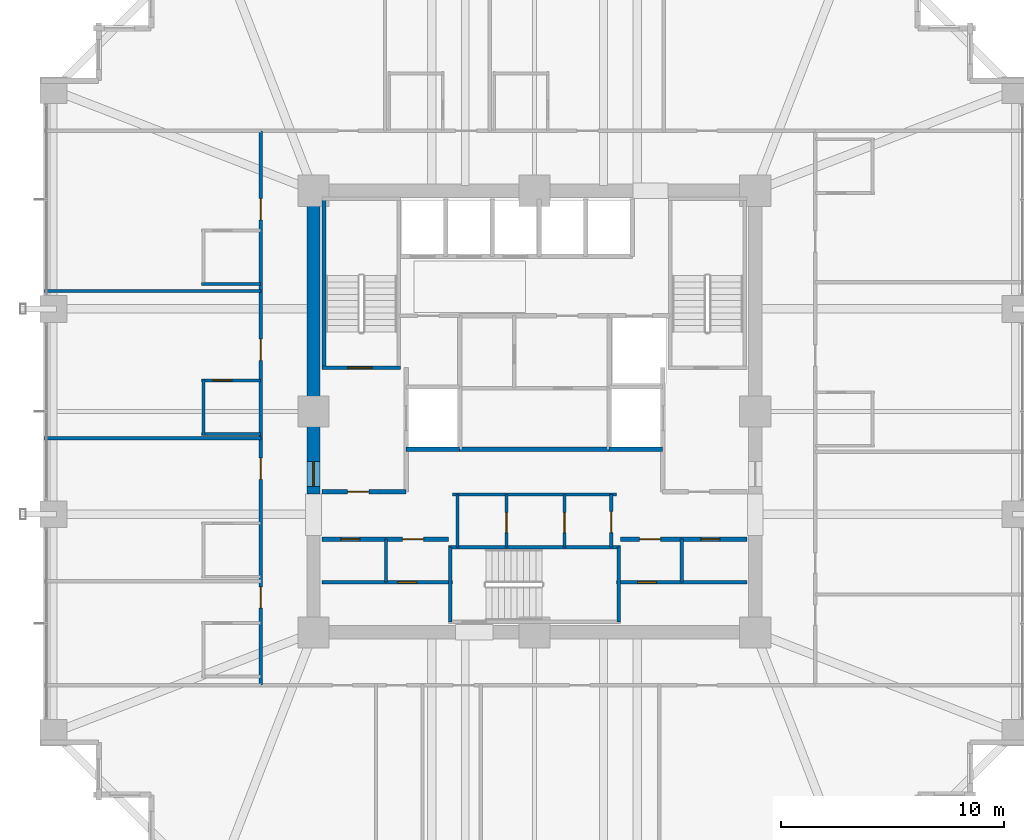
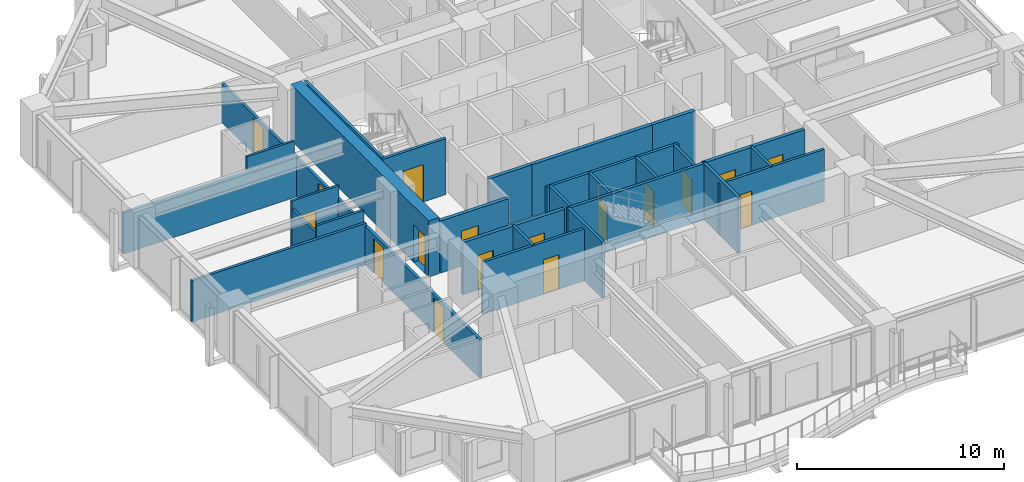
# One storey, part 32 of 38: 28 walls, 17 doors, 17 openings.
"""IFC4 building model written with IfcOpenShell, lengths in metres."""

from ifc_helpers import new_model, si_unit, direction, frame, frame_2d, origin, place, context, subcontext, project, spatial, rectangle, extrude, material, layer, layer_set, type_object, element, fill, save


model = new_model("IFC4")

# Units and contexts
model_context = context("Model", 3, precision=1e-05, world=origin(), true_north=direction((0.0, 1.0)))
body_context = subcontext(model_context, "Body", "Model", "MODEL_VIEW")
ifc_project = project(units=[si_unit("LENGTHUNIT", "METRE"), si_unit("AREAUNIT", "SQUARE_METRE"), si_unit("VOLUMEUNIT", "CUBIC_METRE"), si_unit("PLANEANGLEUNIT", "RADIAN"), si_unit("MASSUNIT", "GRAM", prefix="KILO")], contexts=[model_context])

# Site, building, storey
site_placement = place(None, origin())
site = spatial("IfcSite", under=ifc_project, at=site_placement, CompositionType="ELEMENT")
building_placement = place(site_placement, origin())
building = spatial("IfcBuilding", under=site, at=building_placement, Name="Kolvaren Belvedere", CompositionType="ELEMENT")
storey_placement = place(building_placement, frame((0.0, 0.0, 50.199951171875)))
storey = spatial("IfcBuildingStorey", under=building, at=storey_placement, Name="L14", CompositionType="ELEMENT", Elevation=50.199951171875)

# Wall, opening, door
ifc_material_1 = material(Name="Concrete C60/75", Category="concrete")
ifc_layer_1 = layer(ifc_material_1, 0.60009765625)
ifc_layer_set_1 = layer_set([ifc_layer_1], Name="Concrete C60/75")
wall_type_1 = type_object("IfcWallType", Name="CW-CORE-600", PredefinedType="SHEAR", material=ifc_layer_set_1)
wall_1_placement = place(storey_placement, frame((-9.89990234375, -3.699951171875, 0.0), z_axis=(0.0, 0.0, 1.0), x_axis=(0.0, 1.0, 0.0)))
wall_1 = element("IfcWall", 1, at=wall_1_placement, inside=storey, type_object=wall_type_1, Name="L14 West Core Shear Wall 2", PredefinedType="SHEAR", context=body_context, shape_type="SweptSolid", body=[
    extrude(rectangle(XDim=13.300048828125, YDim=0.60009765625, at=frame_2d((6.64990234375, 0.0))), origin(), (0.0, 0.0, 1.0), 3.300048828125),
])
opening_1_placement = place(wall_1_placement, frame((0.35009765625, 0.0, 0.0)))
opening_1 = element("IfcOpeningElement", 2, at=opening_1_placement, cuts=wall_1, Name="Opening D-FD90", PredefinedType="OPENING", context=body_context, shape_type="SweptSolid", body=[
    extrude(rectangle(XDim=1.10009765625, YDim=2.199951171875, at=frame_2d((0.550048828125, 1.10009765625))), frame((0.0, 0.31005859375, 0.0), z_axis=(0.0, -1.0, 0.0), x_axis=(1.0, 0.0, 0.0)), (0.0, 0.0, 1.0), 0.6201171875),
])
ifc_material_2 = material(Name="Painted hollow stainless steel", Category="steel")
door_type_1 = type_object("IfcDoorType", Name="DR-FD90-1100", OperationType="NOTDEFINED", PredefinedType="DOOR", material=ifc_material_2)
door_1_placement = place(opening_1_placement, origin())
door_1 = element("IfcDoor", 3, at=door_1_placement, inside=storey, type_object=door_type_1, Name="L14 West Firefighting Lobby Fire Door", OperationType="SINGLE_SWING_LEFT", OverallHeight=2.199951171875, OverallWidth=1.10009765625, PredefinedType="DOOR", context=body_context, shape_type="SweptSolid", body=[
    extrude(rectangle(XDim=1.10009765625, YDim=2.199951171875, at=frame_2d((0.550048828125, 1.10009765625))), frame((0.0, 0.02490234375, 0.0), z_axis=(0.0, -1.0, 0.0), x_axis=(1.0, 0.0, 0.0)), (0.0, 0.0, 1.0), 0.050048828125),
])
fill(opening_1, door_1)

ifc_material_3 = material(Name="Concrete C50/60", Category="concrete")
ifc_layer_2 = layer(ifc_material_3, 0.159912109375)
ifc_layer_set_2 = layer_set([ifc_layer_2], Name="Concrete C50/60")
wall_type_2 = type_object("IfcWallType", Name="CW-STAIR-160", PredefinedType="SHEAR", material=ifc_layer_set_2)
wall_2_placement = place(storey_placement, frame((-9.52001953125, 1.969970703125, 0.0), z_axis=(0.0, 0.0, 1.0), x_axis=(1.0, 0.0, 0.0)))
wall_2 = element("IfcWall", 4, at=wall_2_placement, inside=storey, type_object=wall_type_2, Name="L14 Stair ST-1 South Shear Wall", PredefinedType="SHEAR", context=body_context, shape_type="SweptSolid", body=[
    extrude(rectangle(XDim=3.52001953125, YDim=0.159912109375, at=frame_2d((1.760009765625, 0.0))), origin(), (0.0, 0.0, 1.0), 3.300048828125),
])
opening_2_placement = place(wall_2_placement, frame((1.14990234375, 0.0, 0.0)))
opening_2 = element("IfcOpeningElement", 5, at=opening_2_placement, cuts=wall_2, Name="Opening D-FD90", PredefinedType="OPENING", context=body_context, shape_type="SweptSolid", body=[
    extrude(rectangle(XDim=1.10009765625, YDim=2.199951171875, at=frame_2d((0.550048828125, 1.10009765625))), frame((0.0, 0.08984375, 0.0), z_axis=(0.0, -1.0, 0.0), x_axis=(1.0, 0.0, 0.0)), (0.0, 0.0, 1.0), 0.179931640625),
])
door_2_placement = place(opening_2_placement, origin())
door_2 = element("IfcDoor", 6, at=door_2_placement, inside=storey, type_object=door_type_1, Name="L14 Stair ST-1 Fire Door", OperationType="SINGLE_SWING_LEFT", OverallHeight=2.199951171875, OverallWidth=1.10009765625, PredefinedType="DOOR", context=body_context, shape_type="SweptSolid", body=[
    extrude(rectangle(XDim=1.10009765625, YDim=2.199951171875, at=frame_2d((0.550048828125, 1.10009765625))), frame((0.0, 0.02490234375, 0.0), z_axis=(0.0, -1.0, 0.0), x_axis=(1.0, 0.0, 0.0)), (0.0, 0.0, 1.0), 0.050048828125),
])
fill(opening_2, door_2)

# Walls
wall_3_placement = place(storey_placement, frame((-9.429931640625, 1.969970703125, 0.0), z_axis=(0.0, 0.0, 1.0), x_axis=(0.0, 1.0, 0.0)))
element("IfcWall", 7, at=wall_3_placement, inside=storey, type_object=wall_type_2, Name="L14 Stair ST-1 West Shear Wall", PredefinedType="SHEAR", context=body_context, shape_type="SweptSolid", body=[
    extrude(rectangle(XDim=7.56005859375, YDim=0.159912109375, at=frame_2d((3.780029296875, 0.0))), origin(), (0.0, 0.0, 1.0), 3.300048828125),
])
wall_4_placement = place(storey_placement, frame((-3.860107421875, -6.080078125, 0.0), z_axis=(0.0, 0.0, 1.0), x_axis=(1.0, 0.0, 0.0)))
element("IfcWall", 8, at=wall_4_placement, inside=storey, type_object=wall_type_2, Name="L14 Stair ST-3 North Shear Wall", PredefinedType="SHEAR", context=body_context, shape_type="SweptSolid", body=[
    extrude(rectangle(XDim=7.72021484375, YDim=0.159912109375, at=frame_2d((3.860107421875, 0.0))), origin(), (0.0, 0.0, 1.0), 3.300048828125),
])
for number, where, z_axis, x_axis, name in (
    (9, (-3.780029296875, -9.429931640625, 0.0), (0.0, 0.0, 1.0), (0.0, 1.0, 0.0), "L14 Stair ST-3 West Shear Wall"),
    (10, (3.780029296875, -9.429931640625, 0.0), (0.0, 0.0, 1.0), (0.0, 1.0, 0.0), "L14 Stair ST-3 East Shear Wall"),
):
    element("IfcWall", number, at=place(storey_placement, frame(where, z_axis=z_axis, x_axis=x_axis)), inside=storey, type_object=wall_type_2, Name=name, PredefinedType="SHEAR", context=body_context, shape_type="SweptSolid", body=[
        extrude(rectangle(XDim=3.349853515625, YDim=0.159912109375, at=frame_2d((1.6748046875, 0.0))), origin(), (0.0, 0.0, 1.0), 3.300048828125),
    ])

# Wall, openings, doors
ifc_material_4 = material(Name="Gypsum fire-rated partition assembly", Category="gypsum")
ifc_layer_3 = layer(ifc_material_4, 0.14990234375)
ifc_layer_set_3 = layer_set([ifc_layer_3], Name="Gypsum fire-rated partition assembly")
wall_type_3 = type_object("IfcWallType", Name="WL-CORR-150", PredefinedType="PARTITIONING", material=ifc_layer_set_3)
wall_5_placement = place(storey_placement, frame((-12.260009765625, -12.260009765625, 0.0), z_axis=(0.0, 0.0, 1.0), x_axis=(0.0, 1.0, 0.0)))
wall_5 = element("IfcWall", 11, at=wall_5_placement, inside=storey, type_object=wall_type_3, Name="L14 West Corridor Wall", PredefinedType="PARTITIONING", context=body_context, shape_type="SweptSolid", body=[
    extrude(rectangle(XDim=24.840087890625, YDim=0.14990234375, at=frame_2d((12.419921875, 0.0))), origin(), (0.0, 0.0, 1.0), 2.27197265625),
])
opening_3_placement = place(wall_5_placement, frame((3.447509765625, 0.0, 0.0)))
opening_3 = element("IfcOpeningElement", 12, at=opening_3_placement, cuts=wall_5, Name="Opening D-FD60", PredefinedType="OPENING", context=body_context, shape_type="SweptSolid", body=[
    extrude(rectangle(XDim=0.949951171875, YDim=2.06005859375, at=frame_2d((0.47509765625, 1.030029296875))), frame((0.0, 0.0849609375, 0.0), z_axis=(0.0, -1.0, 0.0), x_axis=(1.0, 0.0, 0.0)), (0.0, 0.0, 1.0), 0.169921875),
])
opening_4_placement = place(wall_5_placement, frame((9.218017578125, 0.0, 0.0)))
opening_4 = element("IfcOpeningElement", 13, at=opening_4_placement, cuts=wall_5, Name="Opening D-FD60", PredefinedType="OPENING", context=body_context, shape_type="SweptSolid", body=[
    extrude(rectangle(XDim=0.949951171875, YDim=2.06005859375, at=frame_2d((0.47509765625, 1.030029296875))), frame((0.0, 0.0849609375, 0.0), z_axis=(0.0, -1.0, 0.0), x_axis=(1.0, 0.0, 0.0)), (0.0, 0.0, 1.0), 0.169921875),
])
opening_5_placement = place(wall_5_placement, frame((14.5576171875, 0.0, 0.0)))
opening_5 = element("IfcOpeningElement", 14, at=opening_5_placement, cuts=wall_5, Name="Opening D-FD60", PredefinedType="OPENING", context=body_context, shape_type="SweptSolid", body=[
    extrude(rectangle(XDim=0.949951171875, YDim=2.06005859375, at=frame_2d((0.47509765625, 1.030029296875))), frame((0.0, 0.0849609375, 0.0), z_axis=(0.0, -1.0, 0.0), x_axis=(1.0, 0.0, 0.0)), (0.0, 0.0, 1.0), 0.169921875),
])
opening_6_placement = place(wall_5_placement, frame((20.85205078125, 0.0, 0.0)))
opening_6 = element("IfcOpeningElement", 15, at=opening_6_placement, cuts=wall_5, Name="Opening D-FD60", PredefinedType="OPENING", context=body_context, shape_type="SweptSolid", body=[
    extrude(rectangle(XDim=0.949951171875, YDim=2.06005859375, at=frame_2d((0.47509765625, 1.030029296875))), frame((0.0, 0.0849609375, 0.0), z_axis=(0.0, -1.0, 0.0), x_axis=(1.0, 0.0, 0.0)), (0.0, 0.0, 1.0), 0.169921875),
])
ifc_material_5 = material(Name="Acoustic white-oak fire door leaf", Category="timber")
door_type_2 = type_object("IfcDoorType", Name="DR-FD60-950", OperationType="NOTDEFINED", PredefinedType="DOOR", material=ifc_material_5)
door_3_placement = place(opening_3_placement, origin())
door_3 = element("IfcDoor", 16, at=door_3_placement, inside=storey, type_object=door_type_2, Name="L14 Botanical Hospitality Suite 1408 Entry Door", OperationType="SINGLE_SWING_RIGHT", OverallHeight=2.06005859375, OverallWidth=0.949951171875, PredefinedType="DOOR", context=body_context, shape_type="SweptSolid", body=[
    extrude(rectangle(XDim=0.949951171875, YDim=2.06005859375, at=frame_2d((0.47509765625, 1.030029296875))), frame((0.0, 0.02490234375, 0.0), z_axis=(0.0, -1.0, 0.0), x_axis=(1.0, 0.0, 0.0)), (0.0, 0.0, 1.0), 0.050048828125),
])
fill(opening_3, door_3)
door_4_placement = place(opening_4_placement, origin())
door_4 = element("IfcDoor", 17, at=door_4_placement, inside=storey, type_object=door_type_2, Name="L14 King Guest Room 1409 Entry Door", OperationType="SINGLE_SWING_RIGHT", OverallHeight=2.06005859375, OverallWidth=0.949951171875, PredefinedType="DOOR", context=body_context, shape_type="SweptSolid", body=[
    extrude(rectangle(XDim=0.949951171875, YDim=2.06005859375, at=frame_2d((0.47509765625, 1.030029296875))), frame((0.0, 0.02490234375, 0.0), z_axis=(0.0, -1.0, 0.0), x_axis=(1.0, 0.0, 0.0)), (0.0, 0.0, 1.0), 0.050048828125),
])
fill(opening_4, door_4)
door_5_placement = place(opening_5_placement, origin())
door_5 = element("IfcDoor", 18, at=door_5_placement, inside=storey, type_object=door_type_2, Name="L14 Botanical Hospitality Suite 1410 Entry Door", OperationType="SINGLE_SWING_RIGHT", OverallHeight=2.06005859375, OverallWidth=0.949951171875, PredefinedType="DOOR", context=body_context, shape_type="SweptSolid", body=[
    extrude(rectangle(XDim=0.949951171875, YDim=2.06005859375, at=frame_2d((0.47509765625, 1.030029296875))), frame((0.0, 0.02490234375, 0.0), z_axis=(0.0, -1.0, 0.0), x_axis=(1.0, 0.0, 0.0)), (0.0, 0.0, 1.0), 0.050048828125),
])
fill(opening_5, door_5)
door_6_placement = place(opening_6_placement, origin())
door_6 = element("IfcDoor", 19, at=door_6_placement, inside=storey, type_object=door_type_2, Name="L14 Botanical Hospitality Suite 1411 Entry Door", OperationType="SINGLE_SWING_RIGHT", OverallHeight=2.06005859375, OverallWidth=0.949951171875, PredefinedType="DOOR", context=body_context, shape_type="SweptSolid", body=[
    extrude(rectangle(XDim=0.949951171875, YDim=2.06005859375, at=frame_2d((0.47509765625, 1.030029296875))), frame((0.0, 0.02490234375, 0.0), z_axis=(0.0, -1.0, 0.0), x_axis=(1.0, 0.0, 0.0)), (0.0, 0.0, 1.0), 0.050048828125),
])
fill(opening_6, door_6)

# Wall, opening, door
ifc_material_6 = material(Name="Gypsum acoustic partition assembly", Category="gypsum")
ifc_layer_4 = layer(ifc_material_6, 0.14990234375)
ifc_layer_set_4 = layer_set([ifc_layer_4], Name="Gypsum acoustic partition assembly")
wall_type_4 = type_object("IfcWallType", Name="WL-PART-150", PredefinedType="PARTITIONING", material=ifc_layer_set_4)
wall_6_placement = place(storey_placement, frame((-9.52001953125, -7.64990234375, 0.0), z_axis=(0.0, 0.0, 1.0), x_axis=(1.0, 0.0, 0.0)))
wall_6 = element("IfcWall", 20, at=wall_6_placement, inside=storey, type_object=wall_type_4, Name="L14 SW Core H-Divider", PredefinedType="PARTITIONING", context=body_context, shape_type="SweptSolid", body=[
    extrude(rectangle(XDim=5.840087890625, YDim=0.14990234375, at=frame_2d((2.919921875, 0.0))), origin(), (0.0, 0.0, 1.0), 3.06005859375),
])
opening_7_placement = place(wall_6_placement, frame((3.39990234375, 0.0, 0.0)))
opening_7 = element("IfcOpeningElement", 21, at=opening_7_placement, cuts=wall_6, Name="Opening D-INT85", PredefinedType="OPENING", context=body_context, shape_type="SweptSolid", body=[
    extrude(rectangle(XDim=0.85009765625, YDim=2.030029296875, at=frame_2d((0.425048828125, 1.01513671875))), frame((0.0, 0.0849609375, 0.0), z_axis=(0.0, -1.0, 0.0), x_axis=(1.0, 0.0, 0.0)), (0.0, 0.0, 1.0), 0.169921875),
])
ifc_material_7 = material(Name="Stained Pacific white oak", Category="timber")
door_type_3 = type_object("IfcDoorType", Name="DR-INT-850", OperationType="NOTDEFINED", PredefinedType="DOOR", material=ifc_material_7)
door_7_placement = place(opening_7_placement, origin())
door_7 = element("IfcDoor", 22, at=door_7_placement, inside=storey, type_object=door_type_3, Name="L14 SW Archive Door", OperationType="SINGLE_SWING_LEFT", OverallHeight=2.030029296875, OverallWidth=0.85009765625, PredefinedType="DOOR", context=body_context, shape_type="SweptSolid", body=[
    extrude(rectangle(XDim=0.85009765625, YDim=2.030029296875, at=frame_2d((0.425048828125, 1.01513671875))), frame((0.0, 0.02490234375, 0.0), z_axis=(0.0, -1.0, 0.0), x_axis=(1.0, 0.0, 0.0)), (0.0, 0.0, 1.0), 0.050048828125),
])
fill(opening_7, door_7)

# Wall
wall_7_placement = place(storey_placement, frame((-6.64990234375, -7.64990234375, 0.0), z_axis=(0.0, 0.0, 1.0), x_axis=(0.0, 1.0, 0.0)))
element("IfcWall", 23, at=wall_7_placement, inside=storey, type_object=wall_type_4, Name="L14 SW Core V-Divider", PredefinedType="PARTITIONING", context=body_context, shape_type="SweptSolid", body=[
    extrude(rectangle(XDim=1.929931640625, YDim=0.14990234375, at=frame_2d((0.96484375, 0.0))), origin(), (0.0, 0.0, 1.0), 3.06005859375),
])

# Wall, opening, door
wall_8_placement = place(storey_placement, frame((3.679931640625, -7.64990234375, 0.0), z_axis=(0.0, 0.0, 1.0), x_axis=(1.0, 0.0, 0.0)))
wall_8 = element("IfcWall", 24, at=wall_8_placement, inside=storey, type_object=wall_type_4, Name="L14 SE Core H-Divider", PredefinedType="PARTITIONING", context=body_context, shape_type="SweptSolid", body=[
    extrude(rectangle(XDim=5.840087890625, YDim=0.14990234375, at=frame_2d((2.919921875, 0.0))), origin(), (0.0, 0.0, 1.0), 3.06005859375),
])
opening_8_placement = place(wall_8_placement, frame((0.949951171875, 0.0, 0.0)))
opening_8 = element("IfcOpeningElement", 25, at=opening_8_placement, cuts=wall_8, Name="Opening D-INT85", PredefinedType="OPENING", context=body_context, shape_type="SweptSolid", body=[
    extrude(rectangle(XDim=0.85009765625, YDim=2.030029296875, at=frame_2d((0.425048828125, 1.01513671875))), frame((0.0, 0.0849609375, 0.0), z_axis=(0.0, -1.0, 0.0), x_axis=(1.0, 0.0, 0.0)), (0.0, 0.0, 1.0), 0.169921875),
])
door_8_placement = place(opening_8_placement, origin())
door_8 = element("IfcDoor", 26, at=door_8_placement, inside=storey, type_object=door_type_3, Name="L14 SE Fibre Door", OperationType="SINGLE_SWING_RIGHT", OverallHeight=2.030029296875, OverallWidth=0.85009765625, PredefinedType="DOOR", context=body_context, shape_type="SweptSolid", body=[
    extrude(rectangle(XDim=0.85009765625, YDim=2.030029296875, at=frame_2d((0.425048828125, 1.01513671875))), frame((0.0, 0.02490234375, 0.0), z_axis=(0.0, -1.0, 0.0), x_axis=(1.0, 0.0, 0.0)), (0.0, 0.0, 1.0), 0.050048828125),
])
fill(opening_8, door_8)

# Walls
wall_9_placement = place(storey_placement, frame((6.60009765625, -7.64990234375, 0.0), z_axis=(0.0, 0.0, 1.0), x_axis=(0.0, 1.0, 0.0)))
element("IfcWall", 27, at=wall_9_placement, inside=storey, type_object=wall_type_4, Name="L14 SE Core V-Divider", PredefinedType="PARTITIONING", context=body_context, shape_type="SweptSolid", body=[
    extrude(rectangle(XDim=1.929931640625, YDim=0.14990234375, at=frame_2d((0.96484375, 0.0))), origin(), (0.0, 0.0, 1.0), 3.06005859375),
])
wall_10_placement = place(storey_placement, frame((-3.679931640625, -3.719970703125, 0.0), z_axis=(0.0, 0.0, 1.0), x_axis=(1.0, 0.0, 0.0)))
element("IfcWall", 28, at=wall_10_placement, inside=storey, type_object=wall_type_4, Name="L14 South Core Service North Wall", PredefinedType="PARTITIONING", context=body_context, shape_type="SweptSolid", body=[
    extrude(rectangle(XDim=7.35986328125, YDim=0.14990234375, at=frame_2d((3.679931640625, 0.0))), origin(), (0.0, 0.0, 1.0), 3.06005859375),
])

# Wall, opening, door
wall_11_placement = place(storey_placement, frame((3.449951171875, -6.080078125, 0.0), z_axis=(0.0, 0.0, 1.0), x_axis=(0.0, 1.0, 0.0)))
wall_11 = element("IfcWall", 29, at=wall_11_placement, inside=storey, type_object=wall_type_4, Name="L14 South Core Service East Wall", PredefinedType="PARTITIONING", context=body_context, shape_type="SweptSolid", body=[
    extrude(rectangle(XDim=2.360107421875, YDim=0.14990234375, at=frame_2d((1.18017578125, 0.0))), origin(), (0.0, 0.0, 1.0), 3.06005859375),
])
opening_9_placement = place(wall_11_placement, frame((0.64990234375, 0.0, 0.0)))
opening_9 = element("IfcOpeningElement", 30, at=opening_9_placement, cuts=wall_11, Name="Opening D-FD60", PredefinedType="OPENING", context=body_context, shape_type="SweptSolid", body=[
    extrude(rectangle(XDim=0.949951171875, YDim=2.06005859375, at=frame_2d((0.47509765625, 1.030029296875))), frame((0.0, 0.0849609375, 0.0), z_axis=(0.0, -1.0, 0.0), x_axis=(1.0, 0.0, 0.0)), (0.0, 0.0, 1.0), 0.169921875),
])
door_9_placement = place(opening_9_placement, origin())
door_9 = element("IfcDoor", 31, at=door_9_placement, inside=storey, type_object=door_type_2, Name="L14 Core Service Room Door", OperationType="SINGLE_SWING_LEFT", OverallHeight=2.06005859375, OverallWidth=0.949951171875, PredefinedType="DOOR", context=body_context, shape_type="SweptSolid", body=[
    extrude(rectangle(XDim=0.949951171875, YDim=2.06005859375, at=frame_2d((0.47509765625, 1.030029296875))), frame((0.0, 0.02490234375, 0.0), z_axis=(0.0, -1.0, 0.0), x_axis=(1.0, 0.0, 0.0)), (0.0, 0.0, 1.0), 0.050048828125),
])
fill(opening_9, door_9)

# Wall
wall_12_placement = place(storey_placement, frame((-3.449951171875, -6.080078125, 0.0), z_axis=(0.0, 0.0, 1.0), x_axis=(0.0, 1.0, 0.0)))
element("IfcWall", 32, at=wall_12_placement, inside=storey, type_object=wall_type_4, Name="L14 South Core Service West Wall", PredefinedType="PARTITIONING", context=body_context, shape_type="SweptSolid", body=[
    extrude(rectangle(XDim=2.360107421875, YDim=0.14990234375, at=frame_2d((1.18017578125, 0.0))), origin(), (0.0, 0.0, 1.0), 3.06005859375),
])

# Wall, opening, door
wall_13_placement = place(storey_placement, frame((1.35009765625, -6.080078125, 0.0), z_axis=(0.0, 0.0, 1.0), x_axis=(0.0, 1.0, 0.0)))
wall_13 = element("IfcWall", 33, at=wall_13_placement, inside=storey, type_object=wall_type_4, Name="L14 Core Service Divider 1", PredefinedType="PARTITIONING", context=body_context, shape_type="SweptSolid", body=[
    extrude(rectangle(XDim=2.360107421875, YDim=0.14990234375, at=frame_2d((1.18017578125, 0.0))), origin(), (0.0, 0.0, 1.0), 3.06005859375),
])
opening_10_placement = place(wall_13_placement, frame((0.64990234375, 0.0, 0.0)))
opening_10 = element("IfcOpeningElement", 34, at=opening_10_placement, cuts=wall_13, Name="Opening D-INT90", PredefinedType="OPENING", context=body_context, shape_type="SweptSolid", body=[
    extrude(rectangle(XDim=0.89990234375, YDim=2.06005859375, at=frame_2d((0.449951171875, 1.030029296875))), frame((0.0, 0.0849609375, 0.0), z_axis=(0.0, -1.0, 0.0), x_axis=(1.0, 0.0, 0.0)), (0.0, 0.0, 1.0), 0.169921875),
])
ifc_material_8 = material(Name="Stained Pacific white oak", Category="timber")
door_type_4 = type_object("IfcDoorType", Name="DR-INT-900", OperationType="NOTDEFINED", PredefinedType="DOOR", material=ifc_material_8)
door_10_placement = place(opening_10_placement, origin())
door_10 = element("IfcDoor", 35, at=door_10_placement, inside=storey, type_object=door_type_4, Name="L14 Data Closet Door", OperationType="SINGLE_SWING_RIGHT", OverallHeight=2.06005859375, OverallWidth=0.89990234375, PredefinedType="DOOR", context=body_context, shape_type="SweptSolid", body=[
    extrude(rectangle(XDim=0.89990234375, YDim=2.06005859375, at=frame_2d((0.449951171875, 1.030029296875))), frame((0.0, 0.02490234375, 0.0), z_axis=(0.0, -1.0, 0.0), x_axis=(1.0, 0.0, 0.0)), (0.0, 0.0, 1.0), 0.050048828125),
])
fill(opening_10, door_10)

wall_14_placement = place(storey_placement, frame((-1.25, -6.080078125, 0.0), z_axis=(0.0, 0.0, 1.0), x_axis=(0.0, 1.0, 0.0)))
wall_14 = element("IfcWall", 36, at=wall_14_placement, inside=storey, type_object=wall_type_4, Name="L14 Core Service Divider 2", PredefinedType="PARTITIONING", context=body_context, shape_type="SweptSolid", body=[
    extrude(rectangle(XDim=2.360107421875, YDim=0.14990234375, at=frame_2d((1.18017578125, 0.0))), origin(), (0.0, 0.0, 1.0), 3.06005859375),
])
opening_11_placement = place(wall_14_placement, frame((0.64990234375, 0.0, 0.0)))
opening_11 = element("IfcOpeningElement", 37, at=opening_11_placement, cuts=wall_14, Name="Opening D-INT90", PredefinedType="OPENING", context=body_context, shape_type="SweptSolid", body=[
    extrude(rectangle(XDim=0.89990234375, YDim=2.06005859375, at=frame_2d((0.449951171875, 1.030029296875))), frame((0.0, 0.0849609375, 0.0), z_axis=(0.0, -1.0, 0.0), x_axis=(1.0, 0.0, 0.0)), (0.0, 0.0, 1.0), 0.169921875),
])
door_11_placement = place(opening_11_placement, origin())
door_11 = element("IfcDoor", 38, at=door_11_placement, inside=storey, type_object=door_type_4, Name="L14 Janitor Room Door", OperationType="SINGLE_SWING_LEFT", OverallHeight=2.06005859375, OverallWidth=0.89990234375, PredefinedType="DOOR", context=body_context, shape_type="SweptSolid", body=[
    extrude(rectangle(XDim=0.89990234375, YDim=2.06005859375, at=frame_2d((0.449951171875, 1.030029296875))), frame((0.0, 0.02490234375, 0.0), z_axis=(0.0, -1.0, 0.0), x_axis=(1.0, 0.0, 0.0)), (0.0, 0.0, 1.0), 0.050048828125),
])
fill(opening_11, door_11)

# Walls
for number, where, z_axis, x_axis, name in (
    (39, (-21.97998046875, -1.199951171875, 0.0), (0.0, 0.0, 1.0), (1.0, 0.0, 0.0), "L14 West Suite Demising Wall 2"),
    (40, (-21.97998046875, 5.39990234375, 0.0), (0.0, 0.0, 1.0), (1.0, 0.0, 0.0), "L14 West Suite Demising Wall 3"),
):
    element("IfcWall", number, at=place(storey_placement, frame(where, z_axis=z_axis, x_axis=x_axis)), inside=storey, type_object=wall_type_4, Name=name, PredefinedType="PARTITIONING", context=body_context, shape_type="SweptSolid", body=[
        extrude(rectangle(XDim=9.719970703125, YDim=0.14990234375, at=frame_2d((4.85986328125, 0.0))), origin(), (0.0, 0.0, 1.0), 2.428955078125),
    ])

# Wall, opening, door
ifc_material_9 = material(Name="Concrete C50/60", Category="concrete")
ifc_layer_5 = layer(ifc_material_9, 0.199951171875)
ifc_layer_set_5 = layer_set([ifc_layer_5], Name="Concrete C50/60")
wall_type_5 = type_object("IfcWallType", Name="WL-SHAFT-200", PredefinedType="SOLIDWALL", material=ifc_layer_set_5)
wall_15_placement = place(storey_placement, frame((-9.52001953125, -3.60009765625, 0.0), z_axis=(0.0, 0.0, 1.0), x_axis=(1.0, 0.0, 0.0)))
wall_15 = element("IfcWall", 41, at=wall_15_placement, inside=storey, type_object=wall_type_5, Name="L14 West FSAE Lobby South Wall", PredefinedType="SOLIDWALL", context=body_context, shape_type="SweptSolid", body=[
    extrude(rectangle(XDim=3.77001953125, YDim=0.199951171875, at=frame_2d((1.885009765625, 0.0))), origin(), (0.0, 0.0, 1.0), 3.06005859375),
])
opening_12_placement = place(wall_15_placement, frame((1.14990234375, 0.0, 0.0)))
opening_12 = element("IfcOpeningElement", 42, at=opening_12_placement, cuts=wall_15, Name="Opening D-FD60", PredefinedType="OPENING", context=body_context, shape_type="SweptSolid", body=[
    extrude(rectangle(XDim=0.949951171875, YDim=2.06005859375, at=frame_2d((0.47509765625, 1.030029296875))), frame((0.0, 0.10986328125, 0.0), z_axis=(0.0, -1.0, 0.0), x_axis=(1.0, 0.0, 0.0)), (0.0, 0.0, 1.0), 0.219970703125),
])
door_12_placement = place(opening_12_placement, origin())
door_12 = element("IfcDoor", 43, at=door_12_placement, inside=storey, type_object=door_type_2, Name="L14 SW Lift Lobby Fire Door", OperationType="SINGLE_SWING_LEFT", OverallHeight=2.06005859375, OverallWidth=0.949951171875, PredefinedType="DOOR", context=body_context, shape_type="SweptSolid", body=[
    extrude(rectangle(XDim=0.949951171875, YDim=2.06005859375, at=frame_2d((0.47509765625, 1.030029296875))), frame((0.0, 0.02490234375, 0.0), z_axis=(0.0, -1.0, 0.0), x_axis=(1.0, 0.0, 0.0)), (0.0, 0.0, 1.0), 0.050048828125),
])
fill(opening_12, door_12)

# Walls
for number, where, z_axis, x_axis, name in (
    (44, (-5.75, -1.699951171875, 0.0), (0.0, 0.0, 1.0), (1.0, 0.0, 0.0), "L14 FSAE FS1 South Wall"),
    (45, (3.35009765625, -1.699951171875, 0.0), (0.0, 0.0, 1.0), (1.0, 0.0, 0.0), "L14 FSAE FS2 South Wall"),
):
    element("IfcWall", number, at=place(storey_placement, frame(where, z_axis=z_axis, x_axis=x_axis)), inside=storey, type_object=wall_type_5, Name=name, PredefinedType="SOLIDWALL", context=body_context, shape_type="SweptSolid", body=[
        extrude(rectangle(XDim=2.39990234375, YDim=0.199951171875, at=frame_2d((1.199951171875, 0.0))), origin(), (0.0, 0.0, 1.0), 3.06005859375),
    ])

# Wall, openings, doors
wall_16_placement = place(storey_placement, frame((-9.52001953125, -5.719970703125, 0.0), z_axis=(0.0, 0.0, 1.0), x_axis=(1.0, 0.0, 0.0)))
wall_16 = element("IfcWall", 46, at=wall_16_placement, inside=storey, type_object=wall_type_5, Name="L14 SW Core Reserve Wall", PredefinedType="SOLIDWALL", context=body_context, shape_type="SweptSolid", body=[
    extrude(rectangle(XDim=5.659912109375, YDim=0.199951171875, at=frame_2d((2.830078125, 0.0))), origin(), (0.0, 0.0, 1.0), 3.06005859375),
])
opening_13_placement = place(wall_16_placement, frame((3.60009765625, 0.0, 0.0)))
opening_13 = element("IfcOpeningElement", 47, at=opening_13_placement, cuts=wall_16, Name="Opening D-FD60", PredefinedType="OPENING", context=body_context, shape_type="SweptSolid", body=[
    extrude(rectangle(XDim=0.949951171875, YDim=2.06005859375, at=frame_2d((0.47509765625, 1.030029296875))), frame((0.0, 0.10986328125, 0.0), z_axis=(0.0, -1.0, 0.0), x_axis=(1.0, 0.0, 0.0)), (0.0, 0.0, 1.0), 0.219970703125),
])
opening_14_placement = place(wall_16_placement, frame((0.85009765625, 0.0, 0.0)))
opening_14 = element("IfcOpeningElement", 48, at=opening_14_placement, cuts=wall_16, Name="Opening D-INT85", PredefinedType="OPENING", context=body_context, shape_type="SweptSolid", body=[
    extrude(rectangle(XDim=0.85009765625, YDim=2.030029296875, at=frame_2d((0.425048828125, 1.01513671875))), frame((0.0, 0.10986328125, 0.0), z_axis=(0.0, -1.0, 0.0), x_axis=(1.0, 0.0, 0.0)), (0.0, 0.0, 1.0), 0.219970703125),
])
door_13_placement = place(opening_13_placement, origin())
door_13 = element("IfcDoor", 49, at=door_13_placement, inside=storey, type_object=door_type_2, Name="L14 SW Pantry Door", OperationType="SINGLE_SWING_LEFT", OverallHeight=2.06005859375, OverallWidth=0.949951171875, PredefinedType="DOOR", context=body_context, shape_type="SweptSolid", body=[
    extrude(rectangle(XDim=0.949951171875, YDim=2.06005859375, at=frame_2d((0.47509765625, 1.030029296875))), frame((0.0, 0.02490234375, 0.0), z_axis=(0.0, -1.0, 0.0), x_axis=(1.0, 0.0, 0.0)), (0.0, 0.0, 1.0), 0.050048828125),
])
fill(opening_13, door_13)
door_14_placement = place(opening_14_placement, origin())
door_14 = element("IfcDoor", 50, at=door_14_placement, inside=storey, type_object=door_type_3, Name="L14 SW Linen Door", OperationType="SINGLE_SWING_RIGHT", OverallHeight=2.030029296875, OverallWidth=0.85009765625, PredefinedType="DOOR", context=body_context, shape_type="SweptSolid", body=[
    extrude(rectangle(XDim=0.85009765625, YDim=2.030029296875, at=frame_2d((0.425048828125, 1.01513671875))), frame((0.0, 0.02490234375, 0.0), z_axis=(0.0, -1.0, 0.0), x_axis=(1.0, 0.0, 0.0)), (0.0, 0.0, 1.0), 0.050048828125),
])
fill(opening_14, door_14)

wall_17_placement = place(storey_placement, frame((3.860107421875, -5.719970703125, 0.0), z_axis=(0.0, 0.0, 1.0), x_axis=(1.0, 0.0, 0.0)))
wall_17 = element("IfcWall", 51, at=wall_17_placement, inside=storey, type_object=wall_type_5, Name="L14 SE Core Distribution Wall", PredefinedType="SOLIDWALL", context=body_context, shape_type="SweptSolid", body=[
    extrude(rectangle(XDim=5.659912109375, YDim=0.199951171875, at=frame_2d((2.830078125, 0.0))), origin(), (0.0, 0.0, 1.0), 3.06005859375),
])
opening_15_placement = place(wall_17_placement, frame((0.85009765625, 0.0, 0.0)))
opening_15 = element("IfcOpeningElement", 52, at=opening_15_placement, cuts=wall_17, Name="Opening D-FD60", PredefinedType="OPENING", context=body_context, shape_type="SweptSolid", body=[
    extrude(rectangle(XDim=0.949951171875, YDim=2.06005859375, at=frame_2d((0.47509765625, 1.030029296875))), frame((0.0, 0.10986328125, 0.0), z_axis=(0.0, -1.0, 0.0), x_axis=(1.0, 0.0, 0.0)), (0.0, 0.0, 1.0), 0.219970703125),
])
opening_16_placement = place(wall_17_placement, frame((3.60009765625, 0.0, 0.0)))
opening_16 = element("IfcOpeningElement", 53, at=opening_16_placement, cuts=wall_17, Name="Opening D-INT85", PredefinedType="OPENING", context=body_context, shape_type="SweptSolid", body=[
    extrude(rectangle(XDim=0.85009765625, YDim=2.030029296875, at=frame_2d((0.425048828125, 1.01513671875))), frame((0.0, 0.10986328125, 0.0), z_axis=(0.0, -1.0, 0.0), x_axis=(1.0, 0.0, 0.0)), (0.0, 0.0, 1.0), 0.219970703125),
])
door_15_placement = place(opening_15_placement, origin())
door_15 = element("IfcDoor", 54, at=door_15_placement, inside=storey, type_object=door_type_2, Name="L14 SE Pantry Door", OperationType="SINGLE_SWING_RIGHT", OverallHeight=2.06005859375, OverallWidth=0.949951171875, PredefinedType="DOOR", context=body_context, shape_type="SweptSolid", body=[
    extrude(rectangle(XDim=0.949951171875, YDim=2.06005859375, at=frame_2d((0.47509765625, 1.030029296875))), frame((0.0, 0.02490234375, 0.0), z_axis=(0.0, -1.0, 0.0), x_axis=(1.0, 0.0, 0.0)), (0.0, 0.0, 1.0), 0.050048828125),
])
fill(opening_15, door_15)
door_16_placement = place(opening_16_placement, origin())
door_16 = element("IfcDoor", 55, at=door_16_placement, inside=storey, type_object=door_type_3, Name="L14 SE Linen Door", OperationType="SINGLE_SWING_LEFT", OverallHeight=2.030029296875, OverallWidth=0.85009765625, PredefinedType="DOOR", context=body_context, shape_type="SweptSolid", body=[
    extrude(rectangle(XDim=0.85009765625, YDim=2.030029296875, at=frame_2d((0.425048828125, 1.01513671875))), frame((0.0, 0.02490234375, 0.0), z_axis=(0.0, -1.0, 0.0), x_axis=(1.0, 0.0, 0.0)), (0.0, 0.0, 1.0), 0.050048828125),
])
fill(opening_16, door_16)

# Wall
wall_18_placement = place(storey_placement, frame((-3.35009765625, -1.699951171875, 0.0), z_axis=(0.0, 0.0, 1.0), x_axis=(1.0, 0.0, 0.0)))
element("IfcWall", 56, at=wall_18_placement, inside=storey, type_object=wall_type_5, Name="L14 Central Core Room South Wall", PredefinedType="SOLIDWALL", context=body_context, shape_type="SweptSolid", body=[
    extrude(rectangle(XDim=6.7001953125, YDim=0.199951171875, at=frame_2d((3.35009765625, 0.0))), origin(), (0.0, 0.0, 1.0), 3.06005859375),
])

# Wall, opening, door
ifc_material_10 = material(Name="Moisture-resistant gypsum partition", Category="gypsum")
ifc_layer_6 = layer(ifc_material_10, 0.125)
ifc_layer_set_6 = layer_set([ifc_layer_6], Name="Moisture-resistant gypsum partition")
wall_type_6 = type_object("IfcWallType", Name="WL-WET-125", PredefinedType="PARTITIONING", material=ifc_layer_set_6)
wall_19_placement = place(storey_placement, frame((-14.9150390625, 1.39501953125, 0.0), z_axis=(0.0, 0.0, 1.0), x_axis=(1.0, 0.0, 0.0)))
wall_19 = element("IfcWall", 57, at=wall_19_placement, inside=storey, type_object=wall_type_6, Name="L14 Bathroom Partition PW-L14-BTH-10-N", PredefinedType="PARTITIONING", context=body_context, shape_type="SweptSolid", body=[
    extrude(rectangle(XDim=2.64013671875, YDim=0.125, at=frame_2d((1.320068359375, 0.0))), origin(), (0.0, 0.0, 1.0), 3.06005859375),
])
opening_17_placement = place(wall_19_placement, frame((0.5, 0.0, 0.0)))
opening_17 = element("IfcOpeningElement", 58, at=opening_17_placement, cuts=wall_19, Name="Opening D-BTH85", PredefinedType="OPENING", context=body_context, shape_type="SweptSolid", body=[
    extrude(rectangle(XDim=0.85009765625, YDim=2.030029296875, at=frame_2d((0.425048828125, 1.01513671875))), frame((0.0, 0.072509765625, 0.0), z_axis=(0.0, -1.0, 0.0), x_axis=(1.0, 0.0, 0.0)), (0.0, 0.0, 1.0), 0.14501953125),
])
ifc_material_11 = material(Name="Moisture-sealed Pacific white oak", Category="timber")
door_type_5 = type_object("IfcDoorType", Name="DR-BATH-850", OperationType="NOTDEFINED", PredefinedType="DOOR", material=ifc_material_11)
door_17_placement = place(opening_17_placement, origin())
door_17 = element("IfcDoor", 59, at=door_17_placement, inside=storey, type_object=door_type_5, Name="L14 En-Suite Bathroom 1410 Door", OperationType="SINGLE_SWING_LEFT", OverallHeight=2.030029296875, OverallWidth=0.85009765625, PredefinedType="DOOR", context=body_context, shape_type="SweptSolid", body=[
    extrude(rectangle(XDim=0.85009765625, YDim=2.030029296875, at=frame_2d((0.425048828125, 1.01513671875))), frame((0.0, 0.02490234375, 0.0), z_axis=(0.0, -1.0, 0.0), x_axis=(1.0, 0.0, 0.0)), (0.0, 0.0, 1.0), 0.050048828125),
])
fill(opening_17, door_17)

# Walls
wall_20_placement = place(storey_placement, frame((-14.8349609375, -1.06494140625, 0.0), z_axis=(0.0, 0.0, 1.0), x_axis=(0.0, 1.0, 0.0)))
element("IfcWall", 60, at=wall_20_placement, inside=storey, type_object=wall_type_6, Name="L14 Bathroom Partition PW-L14-BTH-10-V", PredefinedType="PARTITIONING", context=body_context, shape_type="SweptSolid", body=[
    extrude(rectangle(XDim=2.52001953125, YDim=0.125, at=frame_2d((1.260009765625, 0.0))), origin(), (0.0, 0.0, 1.0), 2.5849609375),
])
for number, where, z_axis, x_axis, name in (
    (61, (-14.9150390625, -1.0048828125, 0.0), (0.0, 0.0, 1.0), (1.0, 0.0, 0.0), "L14 Bathroom Partition PW-L14-BTH-10-S"),
    (62, (-14.9150390625, 5.714111328125, 0.0), (0.0, 0.0, 1.0), (1.0, 0.0, 0.0), "L14 Bathroom Partition PW-L14-BTH-11-S"),
):
    element("IfcWall", number, at=place(storey_placement, frame(where, z_axis=z_axis, x_axis=x_axis)), inside=storey, type_object=wall_type_6, Name=name, PredefinedType="PARTITIONING", context=body_context, shape_type="SweptSolid", body=[
        extrude(rectangle(XDim=2.64013671875, YDim=0.125, at=frame_2d((1.320068359375, 0.0))), origin(), (0.0, 0.0, 1.0), 3.06005859375),
    ])

save(model, "model.ifc")
